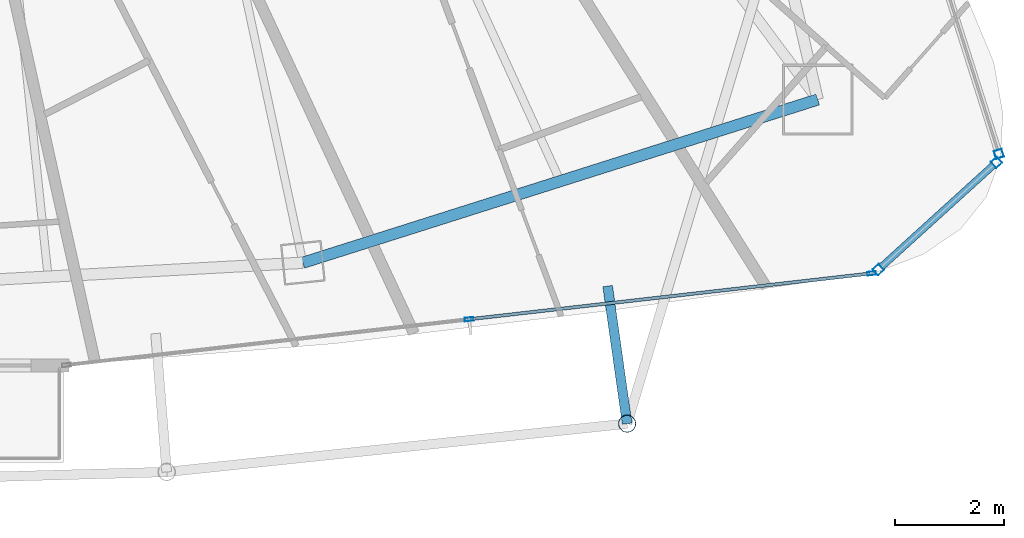
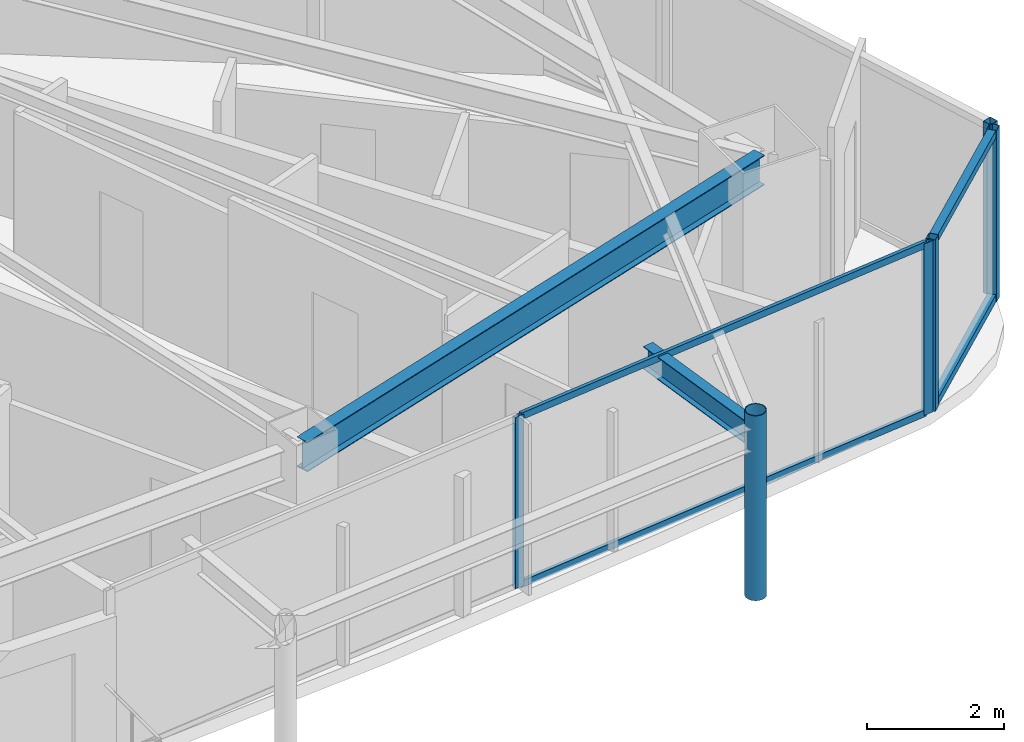
# One storey, part 14 of 29: 10 members, 2 beams, 3 elements without a shape of their own.
"""IFC4 building model written with IfcOpenShell, lengths in metres."""

from ifc_helpers import new_model, si_unit, direction, frame, origin, origin_2d, place, context, subcontext, project, spatial, hollow_rectangle, hollow_circle, i_section, extrude, material, layer, layer_set, material_profile, profile_set, type_object, element, aggregate, save


model = new_model("IFC4")

# Units and contexts
model_context = context("Model", 3, precision=1e-05, world=origin(), true_north=direction((0.0, 1.0)))
body_context = subcontext(model_context, "Body", "Model", "MODEL_VIEW")
ifc_project = project(units=[si_unit("LENGTHUNIT", "METRE"), si_unit("AREAUNIT", "SQUARE_METRE"), si_unit("VOLUMEUNIT", "CUBIC_METRE"), si_unit("PLANEANGLEUNIT", "RADIAN"), si_unit("MASSUNIT", "GRAM", prefix="KILO")], contexts=[model_context])

# Site, building, storey
site_placement = place(None, origin())
site = spatial("IfcSite", under=ifc_project, at=site_placement, CompositionType="ELEMENT")
building_placement = place(site_placement, origin())
building = spatial("IfcBuilding", under=site, at=building_placement, Name="Orvanel Arch Residences", CompositionType="ELEMENT")
storey_placement = place(building_placement, frame((0.0, 0.0, 250.25)))
storey = spatial("IfcBuildingStorey", under=building, at=storey_placement, Name="L71", CompositionType="ELEMENT", Elevation=250.25)

# Curtain wall, members
ifc_material_1 = material(Name="Bronze-anodised aluminium AA6063-T6", Category="aluminium")
ifc_layer_1 = layer(ifc_material_1, 0.18994140625)
ifc_layer_set_1 = layer_set([ifc_layer_1], Name="Bronze-anodised aluminium AA6063-T6")
curtain_wall_type_1 = type_object("IfcCurtainWallType", Name="CW5-CRN-SYS", PredefinedType="NOTDEFINED", material=ifc_layer_set_1)
curtain_wall_1_placement = place(storey_placement, origin())
curtain_wall_1 = element("IfcCurtainWall", 1, at=curtain_wall_1_placement, inside=storey, type_object=curtain_wall_type_1, Name="L71 CW5-CRN-SYS Unitised Curtain Wall", PredefinedType="NOTDEFINED")
ifc_material_profile_1 = material_profile(ifc_material_1, hollow_rectangle(XDim=0.14990234375, YDim=0.14990234375, WallThickness=0.0048828125, at=origin_2d()), Name="ALU150x150x5")
ifc_profile_set_1 = profile_set([ifc_material_profile_1], Name="Bronze-anodised aluminium AA6063-T6")
member_type_1 = type_object("IfcMemberType", Name="MUL-150x150", PredefinedType="MULLION", material=ifc_profile_set_1)
member_1_placement = place(storey_placement, frame((52.91455078125, 7.2294921875, 0.0), z_axis=(0.0, 0.0, 1.0), x_axis=(-0.672204148472, 0.740365843875, 0.0)))
member_1 = element("IfcMember", 2, at=member_1_placement, type_object=member_type_1, Name="CW-S5 mullion 1", PredefinedType="MULLION", context=body_context, shape_type="SweptSolid", body=[
    extrude(hollow_rectangle(XDim=0.14990234375, YDim=0.14990234375, WallThickness=0.0048828125, at=origin_2d()), origin(), (0.0, 0.0, 1.0), 3.06005859375),
])
member_2_placement = place(storey_placement, frame((55.08447265625, 9.199462890625, 0.0), z_axis=(0.0, 0.0, 1.0), x_axis=(-0.672204148472, 0.740365843875, 0.0)))
member_2 = element("IfcMember", 3, at=member_2_placement, type_object=member_type_1, Name="CW-S5 mullion 2", PredefinedType="MULLION", context=body_context, shape_type="SweptSolid", body=[
    extrude(hollow_rectangle(XDim=0.14990234375, YDim=0.14990234375, WallThickness=0.0048828125, at=origin_2d()), origin(), (0.0, 0.0, 1.0), 3.06005859375),
])

# Curtain wall, member
curtain_wall_2_placement = place(storey_placement, origin())
curtain_wall_2 = element("IfcCurtainWall", 4, at=curtain_wall_2_placement, inside=storey, type_object=curtain_wall_type_1, Name="L71 CW5-CRN-SYS Unitised Curtain Wall", PredefinedType="NOTDEFINED")
member_3_placement = place(storey_placement, frame((55.126220703125, 9.353515625, 0.0), z_axis=(0.0, 0.0, 1.0), x_axis=(-0.953089092544, -0.302689910097, 0.0)))
member_3 = element("IfcMember", 5, at=member_3_placement, type_object=member_type_1, Name="CW-S5 mullion 1", PredefinedType="MULLION", context=body_context, shape_type="SweptSolid", body=[
    extrude(hollow_rectangle(XDim=0.14990234375, YDim=0.14990234375, WallThickness=0.0048828125, at=origin_2d()), origin(), (0.0, 0.0, 1.0), 3.06005859375),
])
aggregate(curtain_wall_2, [member_3])

# Curtain wall, members
ifc_layer_2 = layer(ifc_material_1, 0.175048828125)
ifc_layer_set_2 = layer_set([ifc_layer_2], Name="Bronze-anodised aluminium AA6063-T6")
curtain_wall_type_2 = type_object("IfcCurtainWallType", Name="CW4-HI-SYS", PredefinedType="NOTDEFINED", material=ifc_layer_set_2)
curtain_wall_3_placement = place(storey_placement, origin())
curtain_wall_3 = element("IfcCurtainWall", 6, at=curtain_wall_3_placement, inside=storey, type_object=curtain_wall_type_2, Name="L71 CW4-HI-SYS Unitised Curtain Wall", PredefinedType="NOTDEFINED")
ifc_material_profile_2 = material_profile(ifc_material_1, hollow_rectangle(XDim=0.06494140625, YDim=0.159912109375, WallThickness=0.00390625, at=origin_2d()), Name="ALU160x65x4")
ifc_profile_set_2 = profile_set([ifc_material_profile_2], Name="Bronze-anodised aluminium AA6063-T6")
member_type_2 = type_object("IfcMemberType", Name="MUL-160x65", PredefinedType="MULLION", material=ifc_profile_set_2)
member_4_placement = place(storey_placement, frame((45.402587890625, 6.318115234375, 0.0), z_axis=(0.0, 0.0, 1.0), x_axis=(-0.113259630878, 0.993565426136, 0.0)))
member_4 = element("IfcMember", 7, at=member_4_placement, type_object=member_type_2, Name="CW-S4 mullion 2", PredefinedType="MULLION", context=body_context, shape_type="SweptSolid", body=[
    extrude(hollow_rectangle(XDim=0.06494140625, YDim=0.159912109375, WallThickness=0.00390625, at=origin_2d()), origin(), (0.0, 0.0, 1.0), 3.06005859375),
])
member_5_placement = place(storey_placement, frame((52.791748046875, 7.160400390625, 0.0), z_axis=(0.0, 0.0, 1.0), x_axis=(-0.113259630878, 0.993565426136, 0.0)))
member_5 = element("IfcMember", 8, at=member_5_placement, type_object=member_type_2, Name="CW-S4 mullion 3", PredefinedType="MULLION", context=body_context, shape_type="SweptSolid", body=[
    extrude(hollow_rectangle(XDim=0.06494140625, YDim=0.159912109375, WallThickness=0.00390625, at=origin_2d()), origin(), (0.0, 0.0, 1.0), 3.06005859375),
])

# Beams
ifc_material_2 = material(Name="Structural steel AS/NZS 3679.1 Grade 300 (300 MPa)", Category="steel")
ifc_material_profile_3 = material_profile(ifc_material_2, i_section(OverallWidth=0.177978515625, OverallDepth=0.406005859375, WebThickness=0.0078125, FlangeThickness=0.0126953125, at=origin_2d()), Name="410UB59.7")
ifc_profile_set_3 = profile_set([ifc_material_profile_3], Name="Structural steel AS/NZS 3679.1 Grade 300 (300 MPa)")
beam_type_1 = type_object("IfcBeamType", Name="OB-410UB-EXT", PredefinedType="SPANDREL", material=ifc_profile_set_3)
beam_1_placement = place(storey_placement, frame((47.945068359375, 6.927001953125, 2.85693359375), z_axis=(0.140349029672, -0.99010209063, 0.0), x_axis=(0.99010209063, 0.140349029672, 0.0)))
element("IfcBeam", 9, at=beam_1_placement, inside=storey, type_object=beam_type_1, Name="L71 Outer Frame Radial Tie Beam 08", PredefinedType="SPANDREL", context=body_context, shape_type="SweptSolid", body=[
    extrude(i_section(OverallWidth=0.177978515625, OverallDepth=0.406005859375, WebThickness=0.0078125, FlangeThickness=0.0126953125, at=origin_2d()), origin(), (0.0, 0.0, 1.0), 2.550048828125),
])
ifc_material_profile_4 = material_profile(ifc_material_2, i_section(OverallWidth=0.208984375, OverallDepth=0.532958984375, WebThickness=0.01025390625, FlangeThickness=0.015625, at=origin_2d()), Name="530UB92.4")
ifc_profile_set_4 = profile_set([ifc_material_profile_4], Name="Structural steel AS/NZS 3679.1 Grade 300 (300 MPa)")
beam_type_2 = type_object("IfcBeamType", Name="SP-530UB", PredefinedType="SPANDREL", material=ifc_profile_set_4)
beam_2_placement = place(storey_placement, frame((42.35107421875, 7.35498046875, 2.79296875), z_axis=(0.953237386592, 0.302222574941, 0.0), x_axis=(-0.302222574941, 0.953237386592, 0.0)))
element("IfcBeam", 10, at=beam_2_placement, inside=storey, type_object=beam_type_2, Name="L71 Perimeter Spandrel Beam 05", PredefinedType="SPANDREL", context=body_context, shape_type="SweptSolid", body=[
    extrude(i_section(OverallWidth=0.208984375, OverallDepth=0.532958984375, WebThickness=0.01025390625, FlangeThickness=0.015625, at=origin_2d()), origin(), (0.0, 0.0, 1.0), 9.91357421875),
])

# Member
ifc_material_3 = material(Name="Structural steel AS/NZS 1163 C350L0 (Grade 350)", Category="steel")
ifc_material_profile_5 = material_profile(ifc_material_3, hollow_circle(Radius=0.162109375, WallThickness=0.0126953125, at=origin_2d()), Name="CHS324x12.7")
ifc_profile_set_5 = profile_set([ifc_material_profile_5], Name="Structural steel AS/NZS 1163 C350L0 (Grade 350)")
member_type_3 = type_object("IfcMemberType", Name="ST-324CHS-EXT", PredefinedType="STRUT", material=ifc_profile_set_5)
member_6_placement = place(storey_placement, frame((48.302978515625, 4.402099609375, 0.0), z_axis=(0.0, 0.0, 1.0), x_axis=(1.0, 0.0, 0.0)))
element("IfcMember", 11, at=member_6_placement, inside=storey, type_object=member_type_3, Name="L71 Outer Perimeter Frame Post 08", PredefinedType="STRUT", context=body_context, shape_type="SweptSolid", body=[
    extrude(hollow_circle(Radius=0.162109375, WallThickness=0.0126953125, at=origin_2d()), origin(), (0.0, 0.0, 1.0), 3.300048828125),
])

ifc_material_profile_6 = material_profile(ifc_material_1, hollow_rectangle(XDim=0.06005859375, YDim=0.1201171875, WallThickness=0.00341796875, at=origin_2d()), Name="ALU120x60x3.5")
ifc_profile_set_6 = profile_set([ifc_material_profile_6], Name="Bronze-anodised aluminium AA6063-T6")
member_type_4 = type_object("IfcMemberType", Name="TRN-120x60", PredefinedType="USERDEFINED", material=ifc_profile_set_6)
member_7_placement = place(storey_placement, frame((45.434814453125, 6.32177734375, 0.030029296875), z_axis=(0.993565507484, 0.113258917259, 0.0), x_axis=(-0.113258917259, 0.993565507484, 0.0)))
member_7 = element("IfcMember", 12, at=member_7_placement, type_object=member_type_4, Name="CW-S4 transom 2.1", ObjectType="TRANSOM", PredefinedType="USERDEFINED", context=body_context, shape_type="SweptSolid", body=[
    extrude(hollow_rectangle(XDim=0.06005859375, YDim=0.1201171875, WallThickness=0.00341796875, at=origin_2d()), origin(), (0.0, 0.0, 1.0), 7.3720703125),
])

member_8_placement = place(storey_placement, frame((45.434814453125, 6.32177734375, 3.030029296875), z_axis=(0.993565507484, 0.113258917259, 0.0), x_axis=(-0.113258917259, 0.993565507484, 0.0)))
member_8 = element("IfcMember", 13, at=member_8_placement, type_object=member_type_4, Name="CW-S4 transom 2.2", ObjectType="TRANSOM", PredefinedType="USERDEFINED", context=body_context, shape_type="SweptSolid", body=[
    extrude(hollow_rectangle(XDim=0.06005859375, YDim=0.1201171875, WallThickness=0.00341796875, at=origin_2d()), origin(), (0.0, 0.0, 1.0), 7.3720703125),
])

aggregate(curtain_wall_3, [member_4, member_5, member_7, member_8])

ifc_material_profile_7 = material_profile(ifc_material_1, hollow_rectangle(XDim=0.1298828125, YDim=0.1298828125, WallThickness=0.00439453125, at=origin_2d()), Name="ALU130x130x4.5")
ifc_profile_set_7 = profile_set([ifc_material_profile_7], Name="Bronze-anodised aluminium AA6063-T6")
member_type_5 = type_object("IfcMemberType", Name="TRN-130x130", PredefinedType="USERDEFINED", material=ifc_profile_set_7)
member_9_placement = place(storey_placement, frame((52.969970703125, 7.27978515625, 0.06494140625), z_axis=(0.740388770203, 0.672178896543, 0.0), x_axis=(-0.672178896543, 0.740388770203, 0.0)))
member_9 = element("IfcMember", 14, at=member_9_placement, type_object=member_type_5, Name="CW-S5 transom 1.1", ObjectType="TRANSOM", PredefinedType="USERDEFINED", context=body_context, shape_type="SweptSolid", body=[
    extrude(hollow_rectangle(XDim=0.1298828125, YDim=0.1298828125, WallThickness=0.00439453125, at=origin_2d()), origin(), (0.0, 0.0, 1.0), 2.781005859375),
])

member_10_placement = place(storey_placement, frame((52.969970703125, 7.27978515625, 2.9951171875), z_axis=(0.740388770203, 0.672178896543, 0.0), x_axis=(-0.672178896543, 0.740388770203, 0.0)))
member_10 = element("IfcMember", 15, at=member_10_placement, type_object=member_type_5, Name="CW-S5 transom 1.2", ObjectType="TRANSOM", PredefinedType="USERDEFINED", context=body_context, shape_type="SweptSolid", body=[
    extrude(hollow_rectangle(XDim=0.1298828125, YDim=0.1298828125, WallThickness=0.00439453125, at=origin_2d()), origin(), (0.0, 0.0, 1.0), 2.781005859375),
])

aggregate(curtain_wall_1, [member_1, member_2, member_9, member_10])

save(model, "model.ifc")
